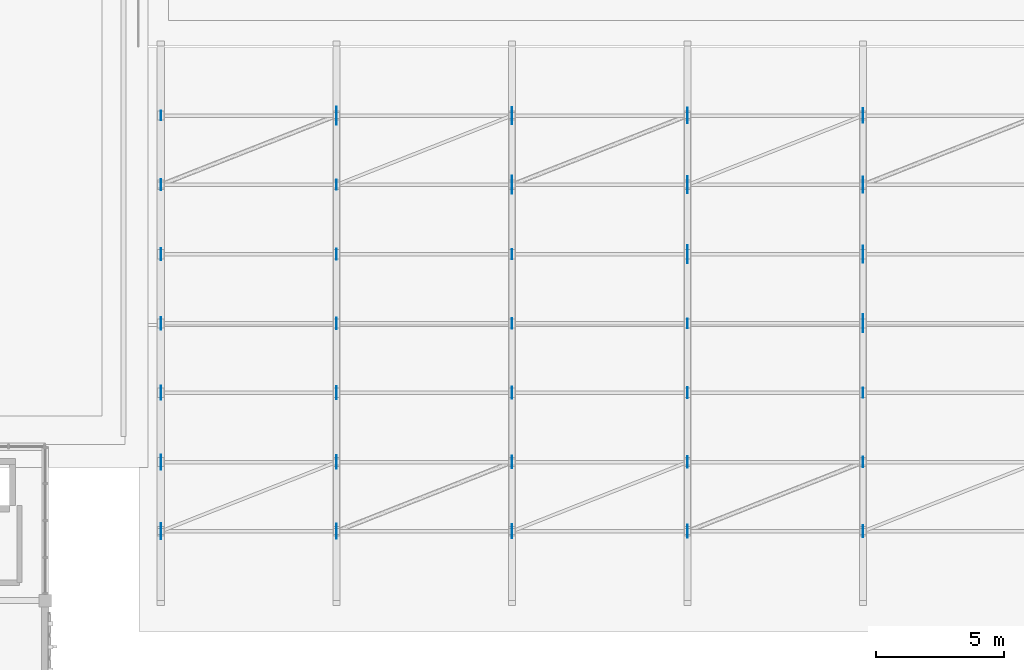
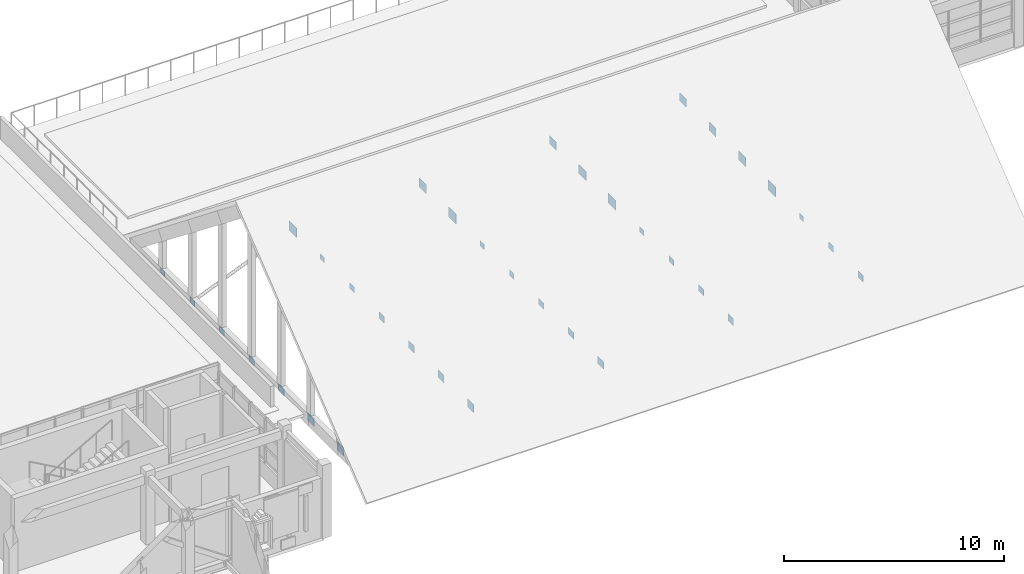
# One storey, part 42 of 79: 35 plates.
"""IFC4 building model written with IfcOpenShell, lengths in metres."""

import ifcopenshell
import ifcopenshell.guid

model = None  # the IFC model being written
_history = None  # IfcOwnerHistory: only IFC2X3 demands one
_inside = {}  # id of a spatial element -> (the spatial element, [elements in it])
_under = {}  # id of a project, library or spatial element -> (it, [spatial elements below it])
_declared = {}  # id of a project -> (the project, [libraries it declares])
_typed = {}  # id of a type object -> (the type object, [elements of that type])
_made_of = {}  # id of a material, layer set ... -> (it, [elements and type objects made of it])


def new_model(schema):
    """Start an empty IFC model of exactly this schema.

    Asked for "IFC4X3", IfcOpenShell would pick the latest addendum, in which some entities
    have other attributes; the version numbers below select the first issue.
    IFC2X3 requires an IfcOwnerHistory on every rooted entity: one is made here for all.
    """
    global model, _history
    if schema == "IFC4X3":
        model = ifcopenshell.file(schema_version=(4, 3, 0, 0))
    else:
        model = ifcopenshell.file(schema=schema)
    _inside.clear()
    _under.clear()
    _declared.clear()
    _typed.clear()
    _made_of.clear()
    _history = None
    if model.schema == "IFC2X3":
        org = make("IfcOrganization", Name="unknown")
        user = make(
            "IfcPersonAndOrganization",
            ThePerson=make("IfcPerson", FamilyName="unknown"),
            TheOrganization=org,
        )
        app = make(
            "IfcApplication",
            ApplicationDeveloper=org,
            Version="unknown",
            ApplicationFullName="unknown",
            ApplicationIdentifier="unknown",
        )
        _history = make(
            "IfcOwnerHistory",
            OwningUser=user,
            OwningApplication=app,
            ChangeAction="ADDED",
            CreationDate=0,
        )
    return model


def make(cls, **values):
    """One entity of the class cls with the attributes given. An attribute that is None is left unset."""
    return model.create_entity(
        cls, **{name: value for name, value in values.items() if value is not None}
    )


def rooted(cls, **values):
    """An entity with a GlobalId (a new one), such as an element, a storey or a relation."""
    return make(cls, GlobalId=ifcopenshell.guid.new(), OwnerHistory=_history, **values)


def si_unit(unit_type, name, prefix=None):
    """IfcSIUnit, for example si_unit("LENGTHUNIT", "METRE", prefix="MILLI")."""
    return make("IfcSIUnit", UnitType=unit_type, Prefix=prefix, Name=name)


def assignment(units):
    """IfcUnitAssignment: the units of a project."""
    return None if units is None else make("IfcUnitAssignment", Units=units)


def point(xyz):
    """IfcCartesianPoint."""
    return None if xyz is None else make("IfcCartesianPoint", Coordinates=xyz)


def direction(xyz):
    """IfcDirection."""
    return None if xyz is None else make("IfcDirection", DirectionRatios=xyz)


def frame(location, z_axis=None, x_axis=None):
    """IfcAxis2Placement3D, a coordinate frame: its origin and axes. An axis left out is left unset."""
    return make(
        "IfcAxis2Placement3D",
        Location=point(location),
        Axis=direction(z_axis),
        RefDirection=direction(x_axis),
    )


def frame_2d(location, x_axis=None):
    """IfcAxis2Placement2D, a coordinate frame in the plane: its origin and x axis."""
    return make(
        "IfcAxis2Placement2D", Location=point(location), RefDirection=direction(x_axis)
    )


def origin():
    """The frame at (0, 0, 0) with its axes left unset."""
    return frame((0.0, 0.0, 0.0))


def origin_2d():
    """The frame at (0, 0) in the plane with its x axis left unset."""
    return frame_2d((0.0, 0.0))


def place(relative_to, where):
    """IfcLocalPlacement: puts the frame where relative to a parent placement (None: the world)."""
    return make(
        "IfcLocalPlacement", PlacementRelTo=relative_to, RelativePlacement=where
    )


def context(
    kind, dimensions, precision=None, world=None, true_north=None, identifier=None
):
    """IfcGeometricRepresentationContext, for example the 3D "Model" context."""
    return make(
        "IfcGeometricRepresentationContext",
        ContextIdentifier=identifier,
        ContextType=kind,
        CoordinateSpaceDimension=dimensions,
        Precision=precision,
        WorldCoordinateSystem=world,
        TrueNorth=true_north,
    )


def subcontext(parent, identifier, kind, view, scale=None):
    """IfcGeometricRepresentationSubContext, for example "Body" below "Model"."""
    return make(
        "IfcGeometricRepresentationSubContext",
        ContextIdentifier=identifier,
        ContextType=kind,
        ParentContext=parent,
        TargetScale=scale,
        TargetView=view,
    )


def project(units=None, contexts=None):
    """IfcProject with its units and contexts."""
    return rooted(
        "IfcProject",
        Name="project",
        RepresentationContexts=contexts,
        UnitsInContext=assignment(units),
    )


def spatial(cls, under=None, at=None, **own):
    """A site, building, storey or space (cls), placed at a placement, below another one or the project."""
    s = rooted(cls, ObjectPlacement=at, **own)
    if under is not None:
        _under.setdefault(under.id(), (under, []))[1].append(s)
    return s


def profile(cls, at=None, kind="AREA", **sizes):
    """A parametric profile (cls). Its sizes go by their IFC names, for example OverallWidth=200.0."""
    return make(cls, ProfileType=kind, Position=at, **sizes)


def rectangle(**sizes):
    """IfcRectangleProfileDef."""
    return profile("IfcRectangleProfileDef", **sizes)


def extrude(swept, where, along, depth):
    """IfcExtrudedAreaSolid: the profile swept, set in the frame where, extruded along a direction by depth."""
    return make(
        "IfcExtrudedAreaSolid",
        SweptArea=swept,
        Position=where,
        ExtrudedDirection=direction(along),
        Depth=depth,
    )


def shape(context_of_items, identifier, shape_type, items):
    """IfcShapeRepresentation: the items that make up one representation, for example the "Body"."""
    return make(
        "IfcShapeRepresentation",
        ContextOfItems=context_of_items,
        RepresentationIdentifier=identifier,
        RepresentationType=shape_type,
        Items=items,
    )


def material(Name=None, Category=None):
    """IfcMaterial."""
    return make("IfcMaterial", Name=Name, Category=Category)


def layer(
    of_material, thickness, ventilated=None, Name=None, Category=None, Priority=None
):
    """IfcMaterialLayer: one layer of a wall or slab, of a material (None: an air gap)."""
    return make(
        "IfcMaterialLayer",
        Material=of_material,
        LayerThickness=thickness,
        IsVentilated=ventilated,
        Name=Name,
        Category=Category,
        Priority=Priority,
    )


def layer_set(layers, Name=None):
    """IfcMaterialLayerSet."""
    return make("IfcMaterialLayerSet", MaterialLayers=layers, LayerSetName=Name)


def made_of(thing, what):
    """Note that an element or type object is made of a material, layer set ...; save() writes the relation."""
    if what is not None:
        _made_of.setdefault(what.id(), (what, []))[1].append(thing)
    return thing


def type_object(cls, material=None, **own):
    """A type object (cls), such as IfcWallType, which elements share."""
    return made_of(rooted(cls, **own), material)


def element(
    cls,
    number,
    at=None,
    inside=None,
    cuts=None,
    type_object=None,
    material=None,
    context=None,
    identifier="Body",
    shape_type=None,
    held_by="IfcProductDefinitionShape",
    body=None,
    shapes=None,
    **own,
):
    """One element of the class cls, such as IfcWall. Its Tag is "e" and its number.

    at: its placement. inside: the storey or other place that contains it. cuts: it is an
    opening in that element (IfcRelVoidsElement). A single representation is given by context,
    identifier, shape_type and body (its items); several are given by shapes. held_by: the class
    of the entity that holds the representations. save() writes the other relations.
    """
    e = rooted(cls, Tag="e%d" % number, ObjectPlacement=at, **own)
    if body is not None:
        shapes = [shape(context, identifier, shape_type, body)]
    if shapes is not None:
        e.Representation = make(held_by, Representations=shapes)
    if inside is not None:
        _inside.setdefault(inside.id(), (inside, []))[1].append(e)
    if cuts is not None:
        rooted(
            "IfcRelVoidsElement", RelatingBuildingElement=cuts, RelatedOpeningElement=e
        )
    if type_object is not None:
        _typed.setdefault(type_object.id(), (type_object, []))[1].append(e)
    return made_of(e, material)


def aggregate(whole, parts):
    """IfcRelAggregates: a whole, such as a stair, and the parts it consists of."""
    return rooted("IfcRelAggregates", RelatingObject=whole, RelatedObjects=parts)


def save(model, path):
    """Write the relations noted so far, then the file.

    IfcRelAggregates (storeys below a building ...), IfcRelContainedInSpatialStructure (elements
    in a storey), IfcRelDefinesByType, IfcRelAssociatesMaterial and IfcRelDeclares: one each for
    every whole, place, type object, material and project.
    """
    for whole, parts in _under.values():
        aggregate(whole, parts)
    for where, things in _inside.values():
        rooted(
            "IfcRelContainedInSpatialStructure",
            RelatedElements=things,
            RelatingStructure=where,
        )
    for kind, things in _typed.values():
        rooted("IfcRelDefinesByType", RelatedObjects=things, RelatingType=kind)
    for what, things in _made_of.values():
        rooted("IfcRelAssociatesMaterial", RelatedObjects=things, RelatingMaterial=what)
    for by, libraries in _declared.values():
        rooted("IfcRelDeclares", RelatingContext=by, RelatedDefinitions=libraries)
    model.write(path)


model = new_model("IFC4")

# Units and contexts
model_context = context("Model", 3, precision=1e-05, world=origin(), true_north=direction((0.0, 1.0)))
body_context = subcontext(model_context, "Body", "Model", "MODEL_VIEW")
ifc_project = project(units=[si_unit("LENGTHUNIT", "METRE"), si_unit("AREAUNIT", "SQUARE_METRE"), si_unit("VOLUMEUNIT", "CUBIC_METRE"), si_unit("PLANEANGLEUNIT", "RADIAN"), si_unit("MASSUNIT", "GRAM", prefix="KILO")], contexts=[model_context])

# Site, building, storey
site_placement = place(None, origin())
site = spatial("IfcSite", under=ifc_project, at=site_placement, CompositionType="ELEMENT")
building_placement = place(site_placement, origin())
building = spatial("IfcBuilding", under=site, at=building_placement, Name="Nzembalo Square Collegiate School", CompositionType="ELEMENT")
storey_placement = place(building_placement, frame((0.0, 0.0, 9.52001953125)))
storey = spatial("IfcBuildingStorey", under=building, at=storey_placement, Name="L02", CompositionType="ELEMENT", Elevation=9.52001953125)

# Plates
ifc_material_1 = material(Name="Steel S355", Category="steel")
ifc_layer_1 = layer(ifc_material_1, 0.02392578125, Name="Steel S355")
ifc_layer_set_1 = layer_set([ifc_layer_1], Name="Steel S355")
plate_type_1 = type_object("IfcPlateType", Name="TN01", PredefinedType="SHEET", material=ifc_layer_set_1)
for number, where, z_axis, x_axis, name in (
    (1, (48.5400390625, 101.699951171875, -0.8701171875), (0.0, 0.0, 1.0), (0.0, 1.0, 0.0), "GT-DH1-02 gusset plate TN01"),
    (2, (55.3798828125, 99.0, -0.8701171875), (0.0, 0.0, 1.0), (0.0, 1.0, 0.0), "GT-DH1-03 gusset plate TN01"),
    (3, (62.219970703125, 96.300048828125, -0.8701171875), (0.0, 0.0, 1.0), (0.0, 1.0, 0.0), "GT-DH1-04 gusset plate TN01"),
    (4, (69.06005859375, 93.60009765625, -0.8701171875), (0.0, 0.0, 1.0), (0.0, 1.0, 0.0), "GT-DH1-05 gusset plate TN01"),
):
    element("IfcPlate", number, at=place(storey_placement, frame(where, z_axis=z_axis, x_axis=x_axis)), inside=storey, type_object=plate_type_1, Name=name, PredefinedType="SHEET", context=body_context, shape_type="SweptSolid", body=[
        extrude(rectangle(XDim=0.699951171875, YDim=0.02392578125, at=origin_2d()), origin(), (0.0, 0.0, 1.0), 0.5400390625),
    ])
ifc_material_2 = material(Name="Steel S355", Category="steel")
ifc_layer_2 = layer(ifc_material_2, 0.02197265625, Name="Steel S355")
ifc_layer_set_2 = layer_set([ifc_layer_2], Name="Steel S355")
plate_type_2 = type_object("IfcPlateType", Name="TN02", PredefinedType="SHEET", material=ifc_layer_set_2)
for number, where, z_axis, x_axis, name in (
    (5, (55.3798828125, 101.699951171875, -0.85009765625), (0.0, 0.0, 1.0), (0.0, 1.0, 0.0), "GT-DH1-03 gusset plate TN02"),
    (6, (62.219970703125, 99.0, -0.85009765625), (0.0, 0.0, 1.0), (0.0, 1.0, 0.0), "GT-DH1-04 gusset plate TN02"),
    (7, (69.06005859375, 96.300048828125, -0.85009765625), (0.0, 0.0, 1.0), (0.0, 1.0, 0.0), "GT-DH1-05 gusset plate TN02"),
):
    element("IfcPlate", number, at=place(storey_placement, frame(where, z_axis=z_axis, x_axis=x_axis)), inside=storey, type_object=plate_type_2, Name=name, PredefinedType="SHEET", context=body_context, shape_type="SweptSolid", body=[
        extrude(rectangle(XDim=0.659912109375, YDim=0.02197265625, at=origin_2d()), origin(), (0.0, 0.0, 1.0), 0.5),
    ])
ifc_material_3 = material(Name="Steel S355", Category="steel")
ifc_layer_3 = layer(ifc_material_3, 0.02001953125, Name="Steel S355")
ifc_layer_set_3 = layer_set([ifc_layer_3], Name="Steel S355")
plate_type_3 = type_object("IfcPlateType", Name="TN03", PredefinedType="SHEET", material=ifc_layer_set_3)
for number, where, z_axis, x_axis, name in (
    (8, (41.699951171875, 85.5, -0.830078125), (0.0, 0.0, 1.0), (0.0, 1.0, 0.0), "GT-DH1-01 gusset plate TN03"),
    (9, (62.219970703125, 101.699951171875, -0.830078125), (0.0, 0.0, 1.0), (0.0, 1.0, 0.0), "GT-DH1-04 gusset plate TN03"),
    (10, (69.06005859375, 99.0, -0.830078125), (0.0, 0.0, 1.0), (0.0, 1.0, 0.0), "GT-DH1-05 gusset plate TN03"),
):
    element("IfcPlate", number, at=place(storey_placement, frame(where, z_axis=z_axis, x_axis=x_axis)), inside=storey, type_object=plate_type_3, Name=name, PredefinedType="SHEET", context=body_context, shape_type="SweptSolid", body=[
        extrude(rectangle(XDim=0.6201171875, YDim=0.02001953125, at=origin_2d()), origin(), (0.0, 0.0, 1.0), 0.4599609375),
    ])
ifc_material_4 = material(Name="Steel S355", Category="steel")
ifc_layer_4 = layer(ifc_material_4, 0.02001953125, Name="Steel S355")
ifc_layer_set_4 = layer_set([ifc_layer_4], Name="Steel S355")
plate_type_4 = type_object("IfcPlateType", Name="TN04", PredefinedType="SHEET", material=ifc_layer_set_4)
for number, where, z_axis, x_axis, name in (
    (11, (41.699951171875, 88.199951171875, -0.820068359375), (0.0, 0.0, 1.0), (0.0, 1.0, 0.0), "GT-DH1-01 gusset plate TN04"),
    (12, (48.5400390625, 85.5, -0.820068359375), (0.0, 0.0, 1.0), (0.0, 1.0, 0.0), "GT-DH1-02 gusset plate TN04"),
    (13, (69.06005859375, 101.699951171875, -0.820068359375), (0.0, 0.0, 1.0), (0.0, 1.0, 0.0), "GT-DH1-05 gusset plate TN04"),
):
    element("IfcPlate", number, at=place(storey_placement, frame(where, z_axis=z_axis, x_axis=x_axis)), inside=storey, type_object=plate_type_4, Name=name, PredefinedType="SHEET", context=body_context, shape_type="SweptSolid", body=[
        extrude(rectangle(XDim=0.580078125, YDim=0.02001953125, at=origin_2d()), origin(), (0.0, 0.0, 1.0), 0.43994140625),
    ])
ifc_material_5 = material(Name="Steel S355", Category="steel")
ifc_layer_5 = layer(ifc_material_5, 0.01806640625, Name="Steel S355")
ifc_layer_set_5 = layer_set([ifc_layer_5], Name="Steel S355")
plate_type_5 = type_object("IfcPlateType", Name="TN05", PredefinedType="SHEET", material=ifc_layer_set_5)
for number, where, z_axis, x_axis, name in (
    (14, (41.699951171875, 90.89990234375, -0.800048828125), (0.0, 0.0, 1.0), (0.0, 1.0, 0.0), "GT-DH1-01 gusset plate TN05"),
    (15, (48.5400390625, 88.199951171875, -0.800048828125), (0.0, 0.0, 1.0), (0.0, 1.0, 0.0), "GT-DH1-02 gusset plate TN05"),
    (16, (55.3798828125, 85.5, -0.800048828125), (0.0, 0.0, 1.0), (0.0, 1.0, 0.0), "GT-DH1-03 gusset plate TN05"),
):
    element("IfcPlate", number, at=place(storey_placement, frame(where, z_axis=z_axis, x_axis=x_axis)), inside=storey, type_object=plate_type_5, Name=name, PredefinedType="SHEET", context=body_context, shape_type="SweptSolid", body=[
        extrude(rectangle(XDim=0.5400390625, YDim=0.01806640625, at=origin_2d()), origin(), (0.0, 0.0, 1.0), 0.39990234375),
    ])
ifc_material_6 = material(Name="Steel S355", Category="steel")
ifc_layer_6 = layer(ifc_material_6, 0.01611328125, Name="Steel S355")
ifc_layer_set_6 = layer_set([ifc_layer_6], Name="Steel S355")
plate_type_6 = type_object("IfcPlateType", Name="TN06", PredefinedType="SHEET", material=ifc_layer_set_6)
for number, where, z_axis, x_axis, name in (
    (17, (41.699951171875, 93.60009765625, -0.7900390625), (0.0, 0.0, 1.0), (0.0, 1.0, 0.0), "GT-DH1-01 gusset plate TN06"),
    (18, (48.5400390625, 90.89990234375, -0.7900390625), (0.0, 0.0, 1.0), (0.0, 1.0, 0.0), "GT-DH1-02 gusset plate TN06"),
    (19, (55.3798828125, 88.199951171875, -0.7900390625), (0.0, 0.0, 1.0), (0.0, 1.0, 0.0), "GT-DH1-03 gusset plate TN06"),
    (20, (62.219970703125, 85.5, -0.7900390625), (0.0, 0.0, 1.0), (0.0, 1.0, 0.0), "GT-DH1-04 gusset plate TN06"),
):
    element("IfcPlate", number, at=place(storey_placement, frame(where, z_axis=z_axis, x_axis=x_axis)), inside=storey, type_object=plate_type_6, Name=name, PredefinedType="SHEET", context=body_context, shape_type="SweptSolid", body=[
        extrude(rectangle(XDim=0.5, YDim=0.01611328125, at=origin_2d()), origin(), (0.0, 0.0, 1.0), 0.3798828125),
    ])
ifc_material_7 = material(Name="Steel S355", Category="steel")
ifc_layer_7 = layer(ifc_material_7, 0.01611328125, Name="Steel S355")
ifc_layer_set_7 = layer_set([ifc_layer_7], Name="Steel S355")
plate_type_7 = type_object("IfcPlateType", Name="TN07", PredefinedType="SHEET", material=ifc_layer_set_7)
for number, where, z_axis, x_axis, name in (
    (21, (41.699951171875, 96.300048828125, -0.775146484375), (0.0, 0.0, 1.0), (0.0, 1.0, 0.0), "GT-DH1-01 gusset plate TN07"),
    (22, (48.5400390625, 93.60009765625, -0.775146484375), (0.0, 0.0, 1.0), (0.0, 1.0, 0.0), "GT-DH1-02 gusset plate TN07"),
    (23, (55.3798828125, 90.89990234375, -0.775146484375), (0.0, 0.0, 1.0), (0.0, 1.0, 0.0), "GT-DH1-03 gusset plate TN07"),
    (24, (62.219970703125, 88.199951171875, -0.775146484375), (0.0, 0.0, 1.0), (0.0, 1.0, 0.0), "GT-DH1-04 gusset plate TN07"),
    (25, (69.06005859375, 85.5, -0.775146484375), (0.0, 0.0, 1.0), (0.0, 1.0, 0.0), "GT-DH1-05 gusset plate TN07"),
):
    element("IfcPlate", number, at=place(storey_placement, frame(where, z_axis=z_axis, x_axis=x_axis)), inside=storey, type_object=plate_type_7, Name=name, PredefinedType="SHEET", context=body_context, shape_type="SweptSolid", body=[
        extrude(rectangle(XDim=0.4599609375, YDim=0.01611328125, at=origin_2d()), origin(), (0.0, 0.0, 1.0), 0.35009765625),
    ])
ifc_material_8 = material(Name="Steel S355", Category="steel")
ifc_layer_8 = layer(ifc_material_8, 0.013916015625, Name="Steel S355")
ifc_layer_set_8 = layer_set([ifc_layer_8], Name="Steel S355")
plate_type_8 = type_object("IfcPlateType", Name="TN08", PredefinedType="SHEET", material=ifc_layer_set_8)
for number, where, z_axis, x_axis, name in (
    (26, (41.699951171875, 99.0, -0.76025390625), (0.0, 0.0, 1.0), (0.0, 1.0, 0.0), "GT-DH1-01 gusset plate TN08"),
    (27, (48.5400390625, 96.300048828125, -0.76025390625), (0.0, 0.0, 1.0), (0.0, 1.0, 0.0), "GT-DH1-02 gusset plate TN08"),
    (28, (55.3798828125, 93.60009765625, -0.76025390625), (0.0, 0.0, 1.0), (0.0, 1.0, 0.0), "GT-DH1-03 gusset plate TN08"),
    (29, (62.219970703125, 90.89990234375, -0.76025390625), (0.0, 0.0, 1.0), (0.0, 1.0, 0.0), "GT-DH1-04 gusset plate TN08"),
    (30, (69.06005859375, 88.199951171875, -0.76025390625), (0.0, 0.0, 1.0), (0.0, 1.0, 0.0), "GT-DH1-05 gusset plate TN08"),
):
    element("IfcPlate", number, at=place(storey_placement, frame(where, z_axis=z_axis, x_axis=x_axis)), inside=storey, type_object=plate_type_8, Name=name, PredefinedType="SHEET", context=body_context, shape_type="SweptSolid", body=[
        extrude(rectangle(XDim=0.419921875, YDim=0.013916015625, at=origin_2d()), origin(), (0.0, 0.0, 1.0), 0.320068359375),
    ])
ifc_material_9 = material(Name="Steel S355", Category="steel")
ifc_layer_9 = layer(ifc_material_9, 0.013916015625, Name="Steel S355")
ifc_layer_set_9 = layer_set([ifc_layer_9], Name="Steel S355")
plate_type_9 = type_object("IfcPlateType", Name="TN09", PredefinedType="SHEET", material=ifc_layer_set_9)
for number, where, z_axis, x_axis, name in (
    (31, (41.699951171875, 101.699951171875, -0.7451171875), (0.0, 0.0, 1.0), (0.0, 1.0, 0.0), "GT-DH1-01 gusset plate TN09"),
    (32, (48.5400390625, 99.0, -0.7451171875), (0.0, 0.0, 1.0), (0.0, 1.0, 0.0), "GT-DH1-02 gusset plate TN09"),
    (33, (55.3798828125, 96.300048828125, -0.7451171875), (0.0, 0.0, 1.0), (0.0, 1.0, 0.0), "GT-DH1-03 gusset plate TN09"),
    (34, (62.219970703125, 93.60009765625, -0.7451171875), (0.0, 0.0, 1.0), (0.0, 1.0, 0.0), "GT-DH1-04 gusset plate TN09"),
    (35, (69.06005859375, 90.89990234375, -0.7451171875), (0.0, 0.0, 1.0), (0.0, 1.0, 0.0), "GT-DH1-05 gusset plate TN09"),
):
    element("IfcPlate", number, at=place(storey_placement, frame(where, z_axis=z_axis, x_axis=x_axis)), inside=storey, type_object=plate_type_9, Name=name, PredefinedType="SHEET", context=body_context, shape_type="SweptSolid", body=[
        extrude(rectangle(XDim=0.3798828125, YDim=0.013916015625, at=origin_2d()), origin(), (0.0, 0.0, 1.0), 0.2900390625),
    ])

save(model, "model.ifc")
